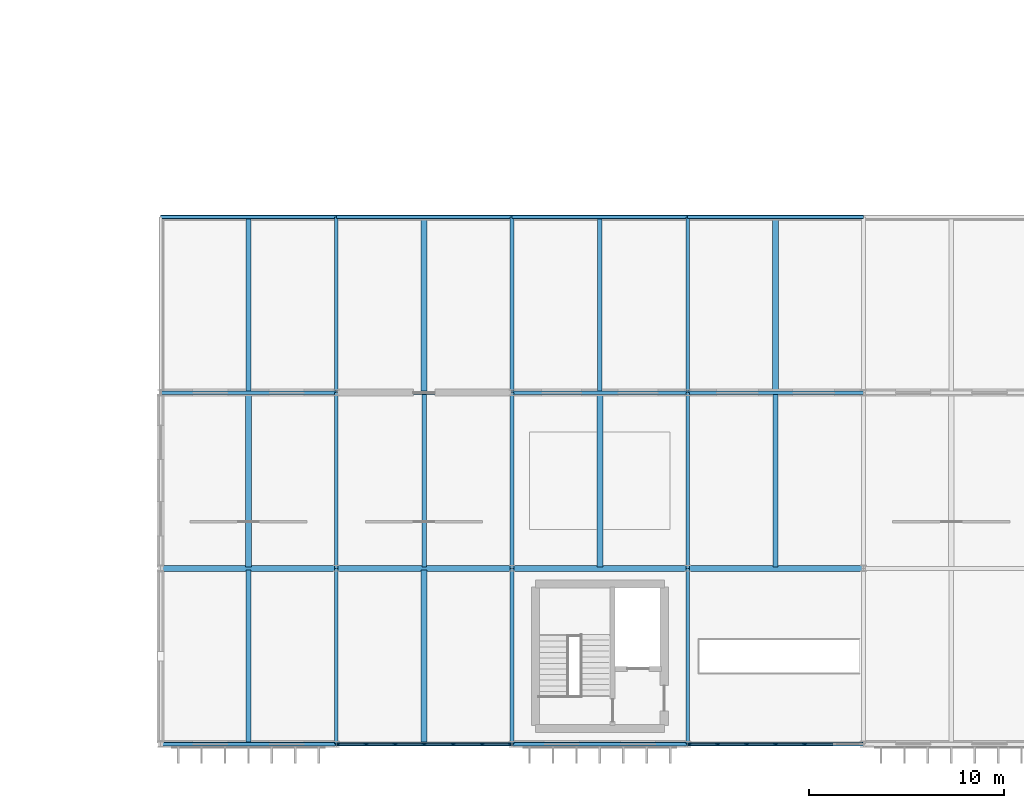
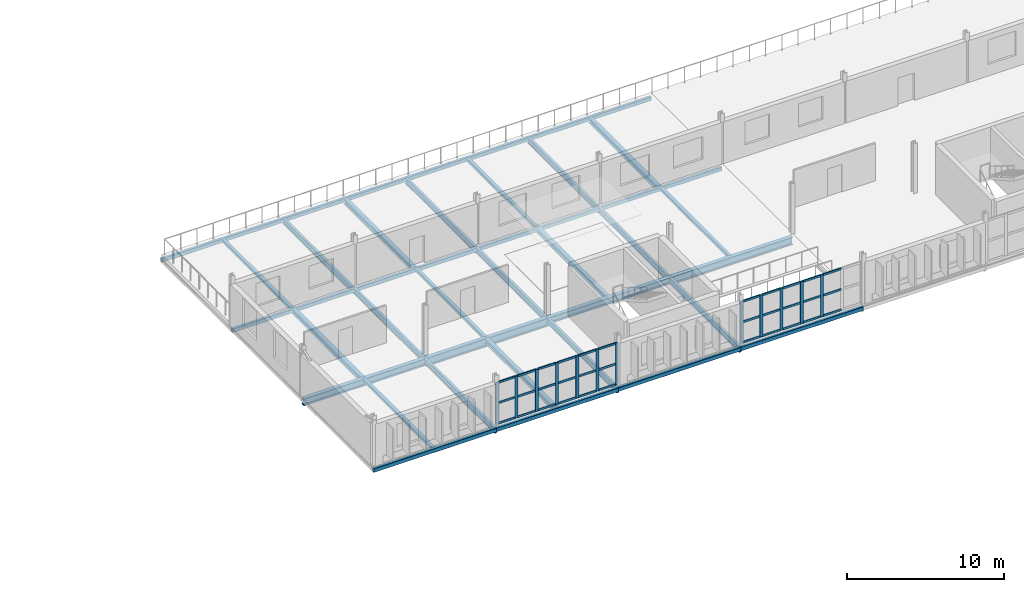
# One storey, part 56 of 123: 45 members, 35 beams, 2 elements without a shape of their own.
"""IFC4 building model written with IfcOpenShell, lengths in metres."""

from ifc_helpers import new_model, si_unit, direction, frame, origin, origin_2d, place, context, subcontext, project, spatial, rectangle, hollow_rectangle, i_section, extrude, material, material_profile, profile_set, type_object, element, aggregate, save


model = new_model("IFC4")

# Units and contexts
model_context = context("Model", 3, precision=1e-05, world=origin(), true_north=direction((0.0, 1.0)))
body_context = subcontext(model_context, "Body", "Model", "MODEL_VIEW")
ifc_project = project(units=[si_unit("LENGTHUNIT", "METRE"), si_unit("AREAUNIT", "SQUARE_METRE"), si_unit("VOLUMEUNIT", "CUBIC_METRE"), si_unit("PLANEANGLEUNIT", "RADIAN"), si_unit("MASSUNIT", "GRAM", prefix="KILO")], contexts=[model_context])

# Site, building, storey
site_placement = place(None, origin())
site = spatial("IfcSite", under=ifc_project, at=site_placement, CompositionType="ELEMENT")
building_placement = place(site_placement, origin())
building = spatial("IfcBuilding", under=site, at=building_placement, Name="Kildeholm Park Wholesale Market", CompositionType="ELEMENT")
storey_placement = place(building_placement, frame((0.0, 0.0, 9.60009765625)))
storey = spatial("IfcBuildingStorey", under=building, at=storey_placement, Name="L02", CompositionType="ELEMENT", Elevation=9.60009765625)

# Beams
ifc_material_1 = material(Name="Steel S355", Category="steel")
ifc_material_profile_1 = material_profile(ifc_material_1, i_section(OverallWidth=0.18994140625, OverallDepth=0.449951171875, WebThickness=0.009521484375, FlangeThickness=0.0146484375, FilletRadius=0.02099609375, at=origin_2d()), Name="IPE 450")
ifc_profile_set_1 = profile_set([ifc_material_profile_1], Name="Steel S355")
beam_type_1 = type_object("IfcBeamType", Name="Beam B-P02 IPE 450", PredefinedType="BEAM", material=ifc_profile_set_1)
for number, where, z_axis, x_axis, name in (
    (1, (135.0, 18.0, -0.51513671875), (0.0, 1.0, 0.0), (-1.0, 0.0, 0.0), "Beam BM-V5E-L02-Y-135-018 BM-1606"),
    (2, (144.0, 18.0, -0.51513671875), (0.0, 1.0, 0.0), (-1.0, 0.0, 0.0), "Beam BM-V5E-L02-Y-144-018 BM-1610"),
    (3, (153.0, 18.0, -0.51513671875), (0.0, 1.0, 0.0), (-1.0, 0.0, 0.0), "Beam BM-V5E-L02-Y-153-018 BM-1614"),
    (4, (135.0, 0.0, -0.465087890625), (0.0, 1.0, 0.0), (-1.0, 0.0, 0.0), "Beam BM-V5E-L02-Y-135-000 BM-1641"),
    (5, (135.0, 9.0, -0.465087890625), (0.0, 1.0, 0.0), (-1.0, 0.0, 0.0), "Beam BM-V5E-L02-Y-135-009 BM-1644"),
    (6, (144.0, 0.0, -0.465087890625), (0.0, 1.0, 0.0), (-1.0, 0.0, 0.0), "Beam BM-V5E-L02-Y-144-000 BM-1647"),
    (7, (144.0, 9.0, -0.465087890625), (0.0, 1.0, 0.0), (-1.0, 0.0, 0.0), "Beam BM-V5E-L02-Y-144-009 BM-1649"),
    (8, (153.0, 0.0, -0.465087890625), (0.0, 1.0, 0.0), (-1.0, 0.0, 0.0), "Beam BM-V5E-L02-Y-153-000 BM-1652"),
    (9, (153.0, 9.0, -0.465087890625), (0.0, 1.0, 0.0), (-1.0, 0.0, 0.0), "Beam BM-V5E-L02-Y-153-009 BM-1654"),
):
    element("IfcBeam", number, at=place(storey_placement, frame(where, z_axis=z_axis, x_axis=x_axis)), inside=storey, type_object=beam_type_1, Name=name, PredefinedType="BEAM", context=body_context, shape_type="SweptSolid", body=[
        extrude(i_section(OverallWidth=0.18994140625, OverallDepth=0.449951171875, WebThickness=0.009521484375, FlangeThickness=0.0146484375, FilletRadius=0.02099609375, at=origin_2d()), origin(), (0.0, 0.0, 1.0), 9.0),
    ])
ifc_material_profile_2 = material_profile(ifc_material_1, i_section(OverallWidth=0.300048828125, OverallDepth=0.550048828125, WebThickness=0.014892578125, FlangeThickness=0.029052734375, FilletRadius=0.027099609375, at=origin_2d()), Name="HEB 550")
ifc_profile_set_2 = profile_set([ifc_material_profile_2], Name="Steel S355")
beam_type_2 = type_object("IfcBeamType", Name="Beam B-X03 HEB 550", PredefinedType="BEAM", material=ifc_profile_set_2)
beam_1_placement = place(storey_placement, frame((126.0, 9.0, -0.51904296875), z_axis=(1.0, 0.0, 0.0), x_axis=(0.0, 1.0, 0.0)))
element("IfcBeam", 10, at=beam_1_placement, inside=storey, type_object=beam_type_2, Name="Beam BM-V5E-L02-X-126-009 BM-1637", PredefinedType="BEAM", context=body_context, shape_type="SweptSolid", body=[
    extrude(i_section(OverallWidth=0.300048828125, OverallDepth=0.550048828125, WebThickness=0.014892578125, FlangeThickness=0.029052734375, FilletRadius=0.027099609375, at=origin_2d()), origin(), (0.0, 0.0, 1.0), 9.0),
])
ifc_material_profile_3 = material_profile(ifc_material_1, i_section(OverallWidth=0.300048828125, OverallDepth=0.64990234375, WebThickness=0.01611328125, FlangeThickness=0.031005859375, FilletRadius=0.027099609375, at=origin_2d()), Name="HEB 650")
ifc_profile_set_3 = profile_set([ifc_material_profile_3], Name="Steel S355")
beam_type_3 = type_object("IfcBeamType", Name="Beam B-X04 HEB 650", PredefinedType="BEAM", material=ifc_profile_set_3)
beam_2_placement = place(storey_placement, frame((135.0, 9.0, -0.565185546875), z_axis=(1.0, 0.0, 0.0), x_axis=(0.0, 1.0, 0.0)))
element("IfcBeam", 11, at=beam_2_placement, inside=storey, type_object=beam_type_3, Name="Beam BM-V5E-L02-X-135-009 BM-1643", PredefinedType="BEAM", context=body_context, shape_type="SweptSolid", body=[
    extrude(i_section(OverallWidth=0.300048828125, OverallDepth=0.64990234375, WebThickness=0.01611328125, FlangeThickness=0.031005859375, FilletRadius=0.027099609375, at=origin_2d()), origin(), (0.0, 0.0, 1.0), 9.0),
])
ifc_material_profile_4 = material_profile(ifc_material_1, i_section(OverallWidth=0.300048828125, OverallDepth=0.5, WebThickness=0.014404296875, FlangeThickness=0.028076171875, FilletRadius=0.027099609375, at=origin_2d()), Name="HEB 500")
ifc_profile_set_4 = profile_set([ifc_material_profile_4], Name="Steel S355")
beam_type_4 = type_object("IfcBeamType", Name="Beam B-X05 HEB 500", PredefinedType="BEAM", material=ifc_profile_set_4)
beam_3_placement = place(storey_placement, frame((144.0, 9.0, -0.489990234375), z_axis=(1.0, 0.0, 0.0), x_axis=(0.0, 1.0, 0.0)))
element("IfcBeam", 12, at=beam_3_placement, inside=storey, type_object=beam_type_4, Name="Beam BM-V5E-L02-X-144-009 BM-1648", PredefinedType="BEAM", context=body_context, shape_type="SweptSolid", body=[
    extrude(i_section(OverallWidth=0.300048828125, OverallDepth=0.5, WebThickness=0.014404296875, FlangeThickness=0.028076171875, FilletRadius=0.027099609375, at=origin_2d()), origin(), (0.0, 0.0, 1.0), 9.0),
])
ifc_material_profile_5 = material_profile(ifc_material_1, i_section(OverallWidth=0.300048828125, OverallDepth=0.60009765625, WebThickness=0.015380859375, FlangeThickness=0.030029296875, FilletRadius=0.027099609375, at=origin_2d()), Name="HEB 600")
ifc_profile_set_5 = profile_set([ifc_material_profile_5], Name="Steel S355")
beam_type_5 = type_object("IfcBeamType", Name="Beam B-X06 HEB 600", PredefinedType="BEAM", material=ifc_profile_set_5)
beam_4_placement = place(storey_placement, frame((153.0, 9.0, -0.544189453125), z_axis=(1.0, 0.0, 0.0), x_axis=(0.0, 1.0, 0.0)))
element("IfcBeam", 13, at=beam_4_placement, inside=storey, type_object=beam_type_5, Name="Beam BM-V5E-L02-X-153-009 BM-1653", PredefinedType="BEAM", context=body_context, shape_type="SweptSolid", body=[
    extrude(i_section(OverallWidth=0.300048828125, OverallDepth=0.60009765625, WebThickness=0.015380859375, FlangeThickness=0.030029296875, FilletRadius=0.027099609375, at=origin_2d()), origin(), (0.0, 0.0, 1.0), 9.0),
])
ifc_material_profile_6 = material_profile(ifc_material_1, i_section(OverallWidth=0.239990234375, OverallDepth=0.22998046875, WebThickness=0.007568359375, FlangeThickness=0.011962890625, FilletRadius=0.02099609375, at=origin_2d()), Name="HEA 240")
ifc_profile_set_6 = profile_set([ifc_material_profile_6], Name="Steel S355")
beam_type_6 = type_object("IfcBeamType", Name="Beam J-05 HEA 240", PredefinedType="JOIST", material=ifc_profile_set_6)
for number, where, z_axis, x_axis, name in (
    (14, (130.5, 18.0849609375, -0.405029296875), (0.0, 1.0, 0.0), (-1.0, 0.0, 0.0), "Beam JT-V5E-L02-126-018 BM-1603"),
    (15, (148.5, 18.0849609375, -0.405029296875), (0.0, 1.0, 0.0), (-1.0, 0.0, 0.0), "Beam JT-V5E-L02-144-018 BM-1611"),
    (16, (130.5, 0.0849609375, -0.35498046875), (0.0, 1.0, 0.0), (-1.0, 0.0, 0.0), "Beam JT-V5E-L02-126-000 BM-1636"),
    (17, (139.5, 9.0849609375, -0.35498046875), (0.0, 1.0, 0.0), (-1.0, 0.0, 0.0), "Beam JT-V5E-L02-135-009 BM-1645"),
    (18, (157.5, 9.0849609375, -0.35498046875), (0.0, 1.0, 0.0), (-1.0, 0.0, 0.0), "Beam JT-V5E-L02-153-009 BM-1655"),
):
    element("IfcBeam", number, at=place(storey_placement, frame(where, z_axis=z_axis, x_axis=x_axis)), inside=storey, type_object=beam_type_6, Name=name, PredefinedType="JOIST", context=body_context, shape_type="SweptSolid", body=[
        extrude(i_section(OverallWidth=0.239990234375, OverallDepth=0.22998046875, WebThickness=0.007568359375, FlangeThickness=0.011962890625, FilletRadius=0.02099609375, at=origin_2d()), origin(), (0.0, 0.0, 1.0), 8.830078125),
    ])
ifc_material_profile_7 = material_profile(ifc_material_1, i_section(OverallWidth=0.300048828125, OverallDepth=0.389892578125, WebThickness=0.010986328125, FlangeThickness=0.01904296875, FilletRadius=0.027099609375, at=origin_2d()), Name="HEA 400")
ifc_profile_set_7 = profile_set([ifc_material_profile_7], Name="Steel S355")
beam_type_7 = type_object("IfcBeamType", Name="Beam J-06 HEA 400", PredefinedType="JOIST", material=ifc_profile_set_7)
for number, where, z_axis, x_axis, name in (
    (19, (139.5, 18.0849609375, -0.485107421875), (0.0, 1.0, 0.0), (-1.0, 0.0, 0.0), "Beam JT-V5E-L02-135-018 BM-1607"),
    (20, (157.5, 18.0849609375, -0.485107421875), (0.0, 1.0, 0.0), (-1.0, 0.0, 0.0), "Beam JT-V5E-L02-153-018 BM-1615"),
    (21, (130.5, 9.0849609375, -0.43505859375), (0.0, 1.0, 0.0), (-1.0, 0.0, 0.0), "Beam JT-V5E-L02-126-009 BM-1639"),
    (22, (139.5, 0.0849609375, -0.43505859375), (0.0, 1.0, 0.0), (-1.0, 0.0, 0.0), "Beam JT-V5E-L02-135-000 BM-1642"),
    (23, (148.5, 9.0849609375, -0.43505859375), (0.0, 1.0, 0.0), (-1.0, 0.0, 0.0), "Beam JT-V5E-L02-144-009 BM-1650"),
):
    element("IfcBeam", number, at=place(storey_placement, frame(where, z_axis=z_axis, x_axis=x_axis)), inside=storey, type_object=beam_type_7, Name=name, PredefinedType="JOIST", context=body_context, shape_type="SweptSolid", body=[
        extrude(i_section(OverallWidth=0.300048828125, OverallDepth=0.389892578125, WebThickness=0.010986328125, FlangeThickness=0.01904296875, FilletRadius=0.027099609375, at=origin_2d()), origin(), (0.0, 0.0, 1.0), 8.830078125),
    ])
ifc_material_profile_8 = material_profile(ifc_material_1, hollow_rectangle(XDim=0.199951171875, YDim=0.300048828125, WallThickness=0.012451171875, InnerFilletRadius=0.012451171875, OuterFilletRadius=0.02490234375, at=origin_2d()), Name="RHS 300x200x12.5")
ifc_profile_set_8 = profile_set([ifc_material_profile_8], Name="Steel S355")
beam_type_8 = type_object("IfcBeamType", Name="Beam SP-01 RHS 300x200x12.5", PredefinedType="SPANDREL", material=ifc_profile_set_8)
for number, where, z_axis, x_axis, name in (
    (24, (126.0, 18.0, -0.440185546875), (1.0, 0.0, 0.0), (0.0, 1.0, 0.0), "Beam BM-V5E-L02-X-126-018 BM-1601"),
    (25, (126.0, 27.0, -0.440185546875), (1.0, 0.0, 0.0), (0.0, 1.0, 0.0), "Beam BM-V5E-L02-X-126-027 BM-1604"),
    (26, (135.0, 18.0, -0.440185546875), (1.0, 0.0, 0.0), (0.0, 1.0, 0.0), "Beam BM-V5E-L02-X-135-018 BM-1605"),
    (27, (135.0, 27.0, -0.440185546875), (1.0, 0.0, 0.0), (0.0, 1.0, 0.0), "Beam BM-V5E-L02-X-135-027 BM-1608"),
    (28, (144.0, 18.0, -0.440185546875), (1.0, 0.0, 0.0), (0.0, 1.0, 0.0), "Beam BM-V5E-L02-X-144-018 BM-1609"),
    (29, (144.0, 27.0, -0.440185546875), (1.0, 0.0, 0.0), (0.0, 1.0, 0.0), "Beam BM-V5E-L02-X-144-027 BM-1612"),
    (30, (153.0, 18.0, -0.440185546875), (1.0, 0.0, 0.0), (0.0, 1.0, 0.0), "Beam BM-V5E-L02-X-153-018 BM-1613"),
    (31, (153.0, 27.0, -0.440185546875), (1.0, 0.0, 0.0), (0.0, 1.0, 0.0), "Beam BM-V5E-L02-X-153-027 BM-1616"),
    (32, (126.0, 0.0, -0.39404296875), (1.0, 0.0, 0.0), (0.0, 1.0, 0.0), "Beam BM-V5E-L02-X-126-000 BM-1634"),
    (33, (135.0, 0.0, -0.39404296875), (1.0, 0.0, 0.0), (0.0, 1.0, 0.0), "Beam BM-V5E-L02-X-135-000 BM-1640"),
    (34, (144.0, 0.0, -0.39404296875), (1.0, 0.0, 0.0), (0.0, 1.0, 0.0), "Beam BM-V5E-L02-X-144-000 BM-1646"),
    (35, (153.0, 0.0, -0.39404296875), (1.0, 0.0, 0.0), (0.0, 1.0, 0.0), "Beam BM-V5E-L02-X-153-000 BM-1651"),
):
    element("IfcBeam", number, at=place(storey_placement, frame(where, z_axis=z_axis, x_axis=x_axis)), inside=storey, type_object=beam_type_8, Name=name, PredefinedType="SPANDREL", context=body_context, shape_type="SweptSolid", body=[
        extrude(hollow_rectangle(XDim=0.199951171875, YDim=0.300048828125, WallThickness=0.012451171875, InnerFilletRadius=0.012451171875, OuterFilletRadius=0.02490234375, at=origin_2d()), origin(), (0.0, 0.0, 1.0), 9.0),
    ])

# Curtain wall, members
ifc_material_2 = material(Name="Anodised aluminium and low-E double-glazed glass", Category="aluminium")
curtain_wall_type = type_object("IfcCurtainWallType", Name="Park wing thermally broken curtain wall CW-03", PredefinedType="NOTDEFINED", material=ifc_material_2)
curtain_wall_1_placement = place(storey_placement, origin())
curtain_wall_1 = element("IfcCurtainWall", 36, at=curtain_wall_1_placement, inside=storey, type_object=curtain_wall_type, Name="Curtain wall CW-V5E-L02-S-02 CW-0155", PredefinedType="NOTDEFINED")
ifc_material_3 = material(Name="Anodised aluminium", Category="aluminium")
ifc_material_profile_9 = material_profile(ifc_material_3, rectangle(XDim=0.074951171875, YDim=0.219970703125, at=origin_2d()), Name="CWM 75x220")
ifc_profile_set_9 = profile_set([ifc_material_profile_9], Name="Anodised aluminium")
member_type_1 = type_object("IfcMemberType", Name="Curtain-wall mullion CWM-2 CWM 75x220", PredefinedType="MULLION", material=ifc_profile_set_9)
member_1_placement = place(storey_placement, frame((135.077392578125, 0.0, 0.0), z_axis=(0.0, 0.0, 1.0), x_axis=(0.0, 1.0, 0.0)))
member_1 = element("IfcMember", 37, at=member_1_placement, type_object=member_type_1, Name="CW-03 mullion 1 MEM-4740", PredefinedType="MULLION", context=body_context, shape_type="SweptSolid", body=[
    extrude(rectangle(XDim=0.074951171875, YDim=0.219970703125, at=origin_2d()), origin(), (0.0, 0.0, 1.0), 3.25),
])
member_2_placement = place(storey_placement, frame((136.526611328125, 0.0, 0.0), z_axis=(0.0, 0.0, 1.0), x_axis=(0.0, 1.0, 0.0)))
member_2 = element("IfcMember", 38, at=member_2_placement, type_object=member_type_1, Name="CW-03 mullion 2 MEM-4741", PredefinedType="MULLION", context=body_context, shape_type="SweptSolid", body=[
    extrude(rectangle(XDim=0.074951171875, YDim=0.219970703125, at=origin_2d()), origin(), (0.0, 0.0, 1.0), 3.25),
])
member_3_placement = place(storey_placement, frame((138.013427734375, 0.0, 0.0), z_axis=(0.0, 0.0, 1.0), x_axis=(0.0, 1.0, 0.0)))
member_3 = element("IfcMember", 39, at=member_3_placement, type_object=member_type_1, Name="CW-03 mullion 3 MEM-4742", PredefinedType="MULLION", context=body_context, shape_type="SweptSolid", body=[
    extrude(rectangle(XDim=0.074951171875, YDim=0.219970703125, at=origin_2d()), origin(), (0.0, 0.0, 1.0), 3.25),
])
member_4_placement = place(storey_placement, frame((139.5, 0.0, 0.0), z_axis=(0.0, 0.0, 1.0), x_axis=(0.0, 1.0, 0.0)))
member_4 = element("IfcMember", 40, at=member_4_placement, type_object=member_type_1, Name="CW-03 mullion 4 MEM-4743", PredefinedType="MULLION", context=body_context, shape_type="SweptSolid", body=[
    extrude(rectangle(XDim=0.074951171875, YDim=0.219970703125, at=origin_2d()), origin(), (0.0, 0.0, 1.0), 3.25),
])
member_5_placement = place(storey_placement, frame((140.986572265625, 0.0, 0.0), z_axis=(0.0, 0.0, 1.0), x_axis=(0.0, 1.0, 0.0)))
member_5 = element("IfcMember", 41, at=member_5_placement, type_object=member_type_1, Name="CW-03 mullion 5 MEM-4744", PredefinedType="MULLION", context=body_context, shape_type="SweptSolid", body=[
    extrude(rectangle(XDim=0.074951171875, YDim=0.219970703125, at=origin_2d()), origin(), (0.0, 0.0, 1.0), 3.25),
])
member_6_placement = place(storey_placement, frame((142.473388671875, 0.0, 0.0), z_axis=(0.0, 0.0, 1.0), x_axis=(0.0, 1.0, 0.0)))
member_6 = element("IfcMember", 42, at=member_6_placement, type_object=member_type_1, Name="CW-03 mullion 6 MEM-4745", PredefinedType="MULLION", context=body_context, shape_type="SweptSolid", body=[
    extrude(rectangle(XDim=0.074951171875, YDim=0.219970703125, at=origin_2d()), origin(), (0.0, 0.0, 1.0), 3.25),
])
member_7_placement = place(storey_placement, frame((143.922607421875, 0.0, 0.0), z_axis=(0.0, 0.0, 1.0), x_axis=(0.0, 1.0, 0.0)))
member_7 = element("IfcMember", 43, at=member_7_placement, type_object=member_type_1, Name="CW-03 mullion 7 MEM-4746", PredefinedType="MULLION", context=body_context, shape_type="SweptSolid", body=[
    extrude(rectangle(XDim=0.074951171875, YDim=0.219970703125, at=origin_2d()), origin(), (0.0, 0.0, 1.0), 3.25),
])

curtain_wall_2_placement = place(storey_placement, origin())
curtain_wall_2 = element("IfcCurtainWall", 44, at=curtain_wall_2_placement, inside=storey, type_object=curtain_wall_type, Name="Curtain wall CW-V5E-L02-S-04 CW-0156", PredefinedType="NOTDEFINED")
member_8_placement = place(storey_placement, frame((153.077392578125, 0.0, 0.0), z_axis=(0.0, 0.0, 1.0), x_axis=(0.0, 1.0, 0.0)))
member_8 = element("IfcMember", 45, at=member_8_placement, type_object=member_type_1, Name="CW-03 mullion 1 MEM-4765", PredefinedType="MULLION", context=body_context, shape_type="SweptSolid", body=[
    extrude(rectangle(XDim=0.074951171875, YDim=0.219970703125, at=origin_2d()), origin(), (0.0, 0.0, 1.0), 3.25),
])
member_9_placement = place(storey_placement, frame((154.526611328125, 0.0, 0.0), z_axis=(0.0, 0.0, 1.0), x_axis=(0.0, 1.0, 0.0)))
member_9 = element("IfcMember", 46, at=member_9_placement, type_object=member_type_1, Name="CW-03 mullion 2 MEM-4766", PredefinedType="MULLION", context=body_context, shape_type="SweptSolid", body=[
    extrude(rectangle(XDim=0.074951171875, YDim=0.219970703125, at=origin_2d()), origin(), (0.0, 0.0, 1.0), 3.25),
])
member_10_placement = place(storey_placement, frame((156.013427734375, 0.0, 0.0), z_axis=(0.0, 0.0, 1.0), x_axis=(0.0, 1.0, 0.0)))
member_10 = element("IfcMember", 47, at=member_10_placement, type_object=member_type_1, Name="CW-03 mullion 3 MEM-4767", PredefinedType="MULLION", context=body_context, shape_type="SweptSolid", body=[
    extrude(rectangle(XDim=0.074951171875, YDim=0.219970703125, at=origin_2d()), origin(), (0.0, 0.0, 1.0), 3.25),
])
member_11_placement = place(storey_placement, frame((157.5, 0.0, 0.0), z_axis=(0.0, 0.0, 1.0), x_axis=(0.0, 1.0, 0.0)))
member_11 = element("IfcMember", 48, at=member_11_placement, type_object=member_type_1, Name="CW-03 mullion 4 MEM-4768", PredefinedType="MULLION", context=body_context, shape_type="SweptSolid", body=[
    extrude(rectangle(XDim=0.074951171875, YDim=0.219970703125, at=origin_2d()), origin(), (0.0, 0.0, 1.0), 3.25),
])
member_12_placement = place(storey_placement, frame((158.986572265625, 0.0, 0.0), z_axis=(0.0, 0.0, 1.0), x_axis=(0.0, 1.0, 0.0)))
member_12 = element("IfcMember", 49, at=member_12_placement, type_object=member_type_1, Name="CW-03 mullion 5 MEM-4769", PredefinedType="MULLION", context=body_context, shape_type="SweptSolid", body=[
    extrude(rectangle(XDim=0.074951171875, YDim=0.219970703125, at=origin_2d()), origin(), (0.0, 0.0, 1.0), 3.25),
])

# Member
ifc_material_profile_10 = material_profile(ifc_material_3, rectangle(XDim=0.074951171875, YDim=0.159912109375, at=origin_2d()), Name="CWT 75x160")
ifc_profile_set_10 = profile_set([ifc_material_profile_10], Name="Anodised aluminium")
member_type_2 = type_object("IfcMemberType", Name="Curtain-wall transom CWT-2 CWT 75x160", PredefinedType="USERDEFINED", material=ifc_profile_set_10)
member_13_placement = place(storey_placement, frame((135.114990234375, 0.0, 0.037353515625), z_axis=(1.0, 0.0, 0.0), x_axis=(0.0, 1.0, 0.0)))
member_13 = element("IfcMember", 50, at=member_13_placement, type_object=member_type_2, Name="CW-03 transom 1.1 MEM-4747", ObjectType="TRANSOM", PredefinedType="USERDEFINED", context=body_context, shape_type="SweptSolid", body=[
    extrude(rectangle(XDim=0.074951171875, YDim=0.159912109375, at=origin_2d()), origin(), (0.0, 0.0, 1.0), 1.374267578125),
])

member_14_placement = place(storey_placement, frame((135.114990234375, 0.0, 1.625), z_axis=(1.0, 0.0, 0.0), x_axis=(0.0, 1.0, 0.0)))
member_14 = element("IfcMember", 51, at=member_14_placement, type_object=member_type_2, Name="CW-03 transom 1.2 MEM-4748", ObjectType="TRANSOM", PredefinedType="USERDEFINED", context=body_context, shape_type="SweptSolid", body=[
    extrude(rectangle(XDim=0.074951171875, YDim=0.159912109375, at=origin_2d()), origin(), (0.0, 0.0, 1.0), 1.374267578125),
])

member_15_placement = place(storey_placement, frame((135.114990234375, 0.0, 3.21240234375), z_axis=(1.0, 0.0, 0.0), x_axis=(0.0, 1.0, 0.0)))
member_15 = element("IfcMember", 52, at=member_15_placement, type_object=member_type_2, Name="CW-03 transom 1.3 MEM-4749", ObjectType="TRANSOM", PredefinedType="USERDEFINED", context=body_context, shape_type="SweptSolid", body=[
    extrude(rectangle(XDim=0.074951171875, YDim=0.159912109375, at=origin_2d()), origin(), (0.0, 0.0, 1.0), 1.374267578125),
])

member_16_placement = place(storey_placement, frame((136.564208984375, 0.0, 0.037353515625), z_axis=(1.0, 0.0, 0.0), x_axis=(0.0, 1.0, 0.0)))
member_16 = element("IfcMember", 53, at=member_16_placement, type_object=member_type_2, Name="CW-03 transom 2.1 MEM-4750", ObjectType="TRANSOM", PredefinedType="USERDEFINED", context=body_context, shape_type="SweptSolid", body=[
    extrude(rectangle(XDim=0.074951171875, YDim=0.159912109375, at=origin_2d()), origin(), (0.0, 0.0, 1.0), 1.41162109375),
])

member_17_placement = place(storey_placement, frame((136.564208984375, 0.0, 1.625), z_axis=(1.0, 0.0, 0.0), x_axis=(0.0, 1.0, 0.0)))
member_17 = element("IfcMember", 54, at=member_17_placement, type_object=member_type_2, Name="CW-03 transom 2.2 MEM-4751", ObjectType="TRANSOM", PredefinedType="USERDEFINED", context=body_context, shape_type="SweptSolid", body=[
    extrude(rectangle(XDim=0.074951171875, YDim=0.159912109375, at=origin_2d()), origin(), (0.0, 0.0, 1.0), 1.41162109375),
])

member_18_placement = place(storey_placement, frame((136.564208984375, 0.0, 3.21240234375), z_axis=(1.0, 0.0, 0.0), x_axis=(0.0, 1.0, 0.0)))
member_18 = element("IfcMember", 55, at=member_18_placement, type_object=member_type_2, Name="CW-03 transom 2.3 MEM-4752", ObjectType="TRANSOM", PredefinedType="USERDEFINED", context=body_context, shape_type="SweptSolid", body=[
    extrude(rectangle(XDim=0.074951171875, YDim=0.159912109375, at=origin_2d()), origin(), (0.0, 0.0, 1.0), 1.41162109375),
])

member_19_placement = place(storey_placement, frame((138.05078125, 0.0, 0.037353515625), z_axis=(1.0, 0.0, 0.0), x_axis=(0.0, 1.0, 0.0)))
member_19 = element("IfcMember", 56, at=member_19_placement, type_object=member_type_2, Name="CW-03 transom 3.1 MEM-4753", ObjectType="TRANSOM", PredefinedType="USERDEFINED", context=body_context, shape_type="SweptSolid", body=[
    extrude(rectangle(XDim=0.074951171875, YDim=0.159912109375, at=origin_2d()), origin(), (0.0, 0.0, 1.0), 1.41162109375),
])

member_20_placement = place(storey_placement, frame((138.05078125, 0.0, 1.625), z_axis=(1.0, 0.0, 0.0), x_axis=(0.0, 1.0, 0.0)))
member_20 = element("IfcMember", 57, at=member_20_placement, type_object=member_type_2, Name="CW-03 transom 3.2 MEM-4754", ObjectType="TRANSOM", PredefinedType="USERDEFINED", context=body_context, shape_type="SweptSolid", body=[
    extrude(rectangle(XDim=0.074951171875, YDim=0.159912109375, at=origin_2d()), origin(), (0.0, 0.0, 1.0), 1.41162109375),
])

member_21_placement = place(storey_placement, frame((138.05078125, 0.0, 3.21240234375), z_axis=(1.0, 0.0, 0.0), x_axis=(0.0, 1.0, 0.0)))
member_21 = element("IfcMember", 58, at=member_21_placement, type_object=member_type_2, Name="CW-03 transom 3.3 MEM-4755", ObjectType="TRANSOM", PredefinedType="USERDEFINED", context=body_context, shape_type="SweptSolid", body=[
    extrude(rectangle(XDim=0.074951171875, YDim=0.159912109375, at=origin_2d()), origin(), (0.0, 0.0, 1.0), 1.41162109375),
])

member_22_placement = place(storey_placement, frame((139.53759765625, 0.0, 0.037353515625), z_axis=(1.0, 0.0, 0.0), x_axis=(0.0, 1.0, 0.0)))
member_22 = element("IfcMember", 59, at=member_22_placement, type_object=member_type_2, Name="CW-03 transom 4.1 MEM-4756", ObjectType="TRANSOM", PredefinedType="USERDEFINED", context=body_context, shape_type="SweptSolid", body=[
    extrude(rectangle(XDim=0.074951171875, YDim=0.159912109375, at=origin_2d()), origin(), (0.0, 0.0, 1.0), 1.41162109375),
])

member_23_placement = place(storey_placement, frame((139.53759765625, 0.0, 1.625), z_axis=(1.0, 0.0, 0.0), x_axis=(0.0, 1.0, 0.0)))
member_23 = element("IfcMember", 60, at=member_23_placement, type_object=member_type_2, Name="CW-03 transom 4.2 MEM-4757", ObjectType="TRANSOM", PredefinedType="USERDEFINED", context=body_context, shape_type="SweptSolid", body=[
    extrude(rectangle(XDim=0.074951171875, YDim=0.159912109375, at=origin_2d()), origin(), (0.0, 0.0, 1.0), 1.41162109375),
])

member_24_placement = place(storey_placement, frame((139.53759765625, 0.0, 3.21240234375), z_axis=(1.0, 0.0, 0.0), x_axis=(0.0, 1.0, 0.0)))
member_24 = element("IfcMember", 61, at=member_24_placement, type_object=member_type_2, Name="CW-03 transom 4.3 MEM-4758", ObjectType="TRANSOM", PredefinedType="USERDEFINED", context=body_context, shape_type="SweptSolid", body=[
    extrude(rectangle(XDim=0.074951171875, YDim=0.159912109375, at=origin_2d()), origin(), (0.0, 0.0, 1.0), 1.41162109375),
])

member_25_placement = place(storey_placement, frame((141.024169921875, 0.0, 0.037353515625), z_axis=(1.0, 0.0, 0.0), x_axis=(0.0, 1.0, 0.0)))
member_25 = element("IfcMember", 62, at=member_25_placement, type_object=member_type_2, Name="CW-03 transom 5.1 MEM-4759", ObjectType="TRANSOM", PredefinedType="USERDEFINED", context=body_context, shape_type="SweptSolid", body=[
    extrude(rectangle(XDim=0.074951171875, YDim=0.159912109375, at=origin_2d()), origin(), (0.0, 0.0, 1.0), 1.41162109375),
])

member_26_placement = place(storey_placement, frame((141.024169921875, 0.0, 1.625), z_axis=(1.0, 0.0, 0.0), x_axis=(0.0, 1.0, 0.0)))
member_26 = element("IfcMember", 63, at=member_26_placement, type_object=member_type_2, Name="CW-03 transom 5.2 MEM-4760", ObjectType="TRANSOM", PredefinedType="USERDEFINED", context=body_context, shape_type="SweptSolid", body=[
    extrude(rectangle(XDim=0.074951171875, YDim=0.159912109375, at=origin_2d()), origin(), (0.0, 0.0, 1.0), 1.41162109375),
])

member_27_placement = place(storey_placement, frame((141.024169921875, 0.0, 3.21240234375), z_axis=(1.0, 0.0, 0.0), x_axis=(0.0, 1.0, 0.0)))
member_27 = element("IfcMember", 64, at=member_27_placement, type_object=member_type_2, Name="CW-03 transom 5.3 MEM-4761", ObjectType="TRANSOM", PredefinedType="USERDEFINED", context=body_context, shape_type="SweptSolid", body=[
    extrude(rectangle(XDim=0.074951171875, YDim=0.159912109375, at=origin_2d()), origin(), (0.0, 0.0, 1.0), 1.41162109375),
])

member_28_placement = place(storey_placement, frame((142.5107421875, 0.0, 0.037353515625), z_axis=(1.0, 0.0, 0.0), x_axis=(0.0, 1.0, 0.0)))
member_28 = element("IfcMember", 65, at=member_28_placement, type_object=member_type_2, Name="CW-03 transom 6.1 MEM-4762", ObjectType="TRANSOM", PredefinedType="USERDEFINED", context=body_context, shape_type="SweptSolid", body=[
    extrude(rectangle(XDim=0.074951171875, YDim=0.159912109375, at=origin_2d()), origin(), (0.0, 0.0, 1.0), 1.374267578125),
])

member_29_placement = place(storey_placement, frame((142.5107421875, 0.0, 1.625), z_axis=(1.0, 0.0, 0.0), x_axis=(0.0, 1.0, 0.0)))
member_29 = element("IfcMember", 66, at=member_29_placement, type_object=member_type_2, Name="CW-03 transom 6.2 MEM-4763", ObjectType="TRANSOM", PredefinedType="USERDEFINED", context=body_context, shape_type="SweptSolid", body=[
    extrude(rectangle(XDim=0.074951171875, YDim=0.159912109375, at=origin_2d()), origin(), (0.0, 0.0, 1.0), 1.374267578125),
])

member_30_placement = place(storey_placement, frame((142.5107421875, 0.0, 3.21240234375), z_axis=(1.0, 0.0, 0.0), x_axis=(0.0, 1.0, 0.0)))
member_30 = element("IfcMember", 67, at=member_30_placement, type_object=member_type_2, Name="CW-03 transom 6.3 MEM-4764", ObjectType="TRANSOM", PredefinedType="USERDEFINED", context=body_context, shape_type="SweptSolid", body=[
    extrude(rectangle(XDim=0.074951171875, YDim=0.159912109375, at=origin_2d()), origin(), (0.0, 0.0, 1.0), 1.374267578125),
])

aggregate(curtain_wall_1, [member_1, member_2, member_3, member_4, member_5, member_6, member_7, member_13, member_14, member_15, member_16, member_17, member_18, member_19, member_20, member_21, member_22, member_23, member_24, member_25, member_26, member_27, member_28, member_29, member_30])

member_31_placement = place(storey_placement, frame((153.114990234375, 0.0, 0.037353515625), z_axis=(1.0, 0.0, 0.0), x_axis=(0.0, 1.0, 0.0)))
member_31 = element("IfcMember", 68, at=member_31_placement, type_object=member_type_2, Name="CW-03 transom 1.1 MEM-4772", ObjectType="TRANSOM", PredefinedType="USERDEFINED", context=body_context, shape_type="SweptSolid", body=[
    extrude(rectangle(XDim=0.074951171875, YDim=0.159912109375, at=origin_2d()), origin(), (0.0, 0.0, 1.0), 1.374267578125),
])

member_32_placement = place(storey_placement, frame((153.114990234375, 0.0, 1.625), z_axis=(1.0, 0.0, 0.0), x_axis=(0.0, 1.0, 0.0)))
member_32 = element("IfcMember", 69, at=member_32_placement, type_object=member_type_2, Name="CW-03 transom 1.2 MEM-4773", ObjectType="TRANSOM", PredefinedType="USERDEFINED", context=body_context, shape_type="SweptSolid", body=[
    extrude(rectangle(XDim=0.074951171875, YDim=0.159912109375, at=origin_2d()), origin(), (0.0, 0.0, 1.0), 1.374267578125),
])

member_33_placement = place(storey_placement, frame((153.114990234375, 0.0, 3.21240234375), z_axis=(1.0, 0.0, 0.0), x_axis=(0.0, 1.0, 0.0)))
member_33 = element("IfcMember", 70, at=member_33_placement, type_object=member_type_2, Name="CW-03 transom 1.3 MEM-4774", ObjectType="TRANSOM", PredefinedType="USERDEFINED", context=body_context, shape_type="SweptSolid", body=[
    extrude(rectangle(XDim=0.074951171875, YDim=0.159912109375, at=origin_2d()), origin(), (0.0, 0.0, 1.0), 1.374267578125),
])

member_34_placement = place(storey_placement, frame((154.564208984375, 0.0, 0.037353515625), z_axis=(1.0, 0.0, 0.0), x_axis=(0.0, 1.0, 0.0)))
member_34 = element("IfcMember", 71, at=member_34_placement, type_object=member_type_2, Name="CW-03 transom 2.1 MEM-4775", ObjectType="TRANSOM", PredefinedType="USERDEFINED", context=body_context, shape_type="SweptSolid", body=[
    extrude(rectangle(XDim=0.074951171875, YDim=0.159912109375, at=origin_2d()), origin(), (0.0, 0.0, 1.0), 1.41162109375),
])

member_35_placement = place(storey_placement, frame((154.564208984375, 0.0, 1.625), z_axis=(1.0, 0.0, 0.0), x_axis=(0.0, 1.0, 0.0)))
member_35 = element("IfcMember", 72, at=member_35_placement, type_object=member_type_2, Name="CW-03 transom 2.2 MEM-4776", ObjectType="TRANSOM", PredefinedType="USERDEFINED", context=body_context, shape_type="SweptSolid", body=[
    extrude(rectangle(XDim=0.074951171875, YDim=0.159912109375, at=origin_2d()), origin(), (0.0, 0.0, 1.0), 1.41162109375),
])

member_36_placement = place(storey_placement, frame((154.564208984375, 0.0, 3.21240234375), z_axis=(1.0, 0.0, 0.0), x_axis=(0.0, 1.0, 0.0)))
member_36 = element("IfcMember", 73, at=member_36_placement, type_object=member_type_2, Name="CW-03 transom 2.3 MEM-4777", ObjectType="TRANSOM", PredefinedType="USERDEFINED", context=body_context, shape_type="SweptSolid", body=[
    extrude(rectangle(XDim=0.074951171875, YDim=0.159912109375, at=origin_2d()), origin(), (0.0, 0.0, 1.0), 1.41162109375),
])

member_37_placement = place(storey_placement, frame((156.05078125, 0.0, 0.037353515625), z_axis=(1.0, 0.0, 0.0), x_axis=(0.0, 1.0, 0.0)))
member_37 = element("IfcMember", 74, at=member_37_placement, type_object=member_type_2, Name="CW-03 transom 3.1 MEM-4778", ObjectType="TRANSOM", PredefinedType="USERDEFINED", context=body_context, shape_type="SweptSolid", body=[
    extrude(rectangle(XDim=0.074951171875, YDim=0.159912109375, at=origin_2d()), origin(), (0.0, 0.0, 1.0), 1.41162109375),
])

member_38_placement = place(storey_placement, frame((156.05078125, 0.0, 1.625), z_axis=(1.0, 0.0, 0.0), x_axis=(0.0, 1.0, 0.0)))
member_38 = element("IfcMember", 75, at=member_38_placement, type_object=member_type_2, Name="CW-03 transom 3.2 MEM-4779", ObjectType="TRANSOM", PredefinedType="USERDEFINED", context=body_context, shape_type="SweptSolid", body=[
    extrude(rectangle(XDim=0.074951171875, YDim=0.159912109375, at=origin_2d()), origin(), (0.0, 0.0, 1.0), 1.41162109375),
])

member_39_placement = place(storey_placement, frame((156.05078125, 0.0, 3.21240234375), z_axis=(1.0, 0.0, 0.0), x_axis=(0.0, 1.0, 0.0)))
member_39 = element("IfcMember", 76, at=member_39_placement, type_object=member_type_2, Name="CW-03 transom 3.3 MEM-4780", ObjectType="TRANSOM", PredefinedType="USERDEFINED", context=body_context, shape_type="SweptSolid", body=[
    extrude(rectangle(XDim=0.074951171875, YDim=0.159912109375, at=origin_2d()), origin(), (0.0, 0.0, 1.0), 1.41162109375),
])

member_40_placement = place(storey_placement, frame((157.53759765625, 0.0, 0.037353515625), z_axis=(1.0, 0.0, 0.0), x_axis=(0.0, 1.0, 0.0)))
member_40 = element("IfcMember", 77, at=member_40_placement, type_object=member_type_2, Name="CW-03 transom 4.1 MEM-4781", ObjectType="TRANSOM", PredefinedType="USERDEFINED", context=body_context, shape_type="SweptSolid", body=[
    extrude(rectangle(XDim=0.074951171875, YDim=0.159912109375, at=origin_2d()), origin(), (0.0, 0.0, 1.0), 1.41162109375),
])

member_41_placement = place(storey_placement, frame((157.53759765625, 0.0, 1.625), z_axis=(1.0, 0.0, 0.0), x_axis=(0.0, 1.0, 0.0)))
member_41 = element("IfcMember", 78, at=member_41_placement, type_object=member_type_2, Name="CW-03 transom 4.2 MEM-4782", ObjectType="TRANSOM", PredefinedType="USERDEFINED", context=body_context, shape_type="SweptSolid", body=[
    extrude(rectangle(XDim=0.074951171875, YDim=0.159912109375, at=origin_2d()), origin(), (0.0, 0.0, 1.0), 1.41162109375),
])

member_42_placement = place(storey_placement, frame((157.53759765625, 0.0, 3.21240234375), z_axis=(1.0, 0.0, 0.0), x_axis=(0.0, 1.0, 0.0)))
member_42 = element("IfcMember", 79, at=member_42_placement, type_object=member_type_2, Name="CW-03 transom 4.3 MEM-4783", ObjectType="TRANSOM", PredefinedType="USERDEFINED", context=body_context, shape_type="SweptSolid", body=[
    extrude(rectangle(XDim=0.074951171875, YDim=0.159912109375, at=origin_2d()), origin(), (0.0, 0.0, 1.0), 1.41162109375),
])

member_43_placement = place(storey_placement, frame((159.024169921875, 0.0, 0.037353515625), z_axis=(1.0, 0.0, 0.0), x_axis=(0.0, 1.0, 0.0)))
member_43 = element("IfcMember", 80, at=member_43_placement, type_object=member_type_2, Name="CW-03 transom 5.1 MEM-4784", ObjectType="TRANSOM", PredefinedType="USERDEFINED", context=body_context, shape_type="SweptSolid", body=[
    extrude(rectangle(XDim=0.074951171875, YDim=0.159912109375, at=origin_2d()), origin(), (0.0, 0.0, 1.0), 1.41162109375),
])

member_44_placement = place(storey_placement, frame((159.024169921875, 0.0, 1.625), z_axis=(1.0, 0.0, 0.0), x_axis=(0.0, 1.0, 0.0)))
member_44 = element("IfcMember", 81, at=member_44_placement, type_object=member_type_2, Name="CW-03 transom 5.2 MEM-4785", ObjectType="TRANSOM", PredefinedType="USERDEFINED", context=body_context, shape_type="SweptSolid", body=[
    extrude(rectangle(XDim=0.074951171875, YDim=0.159912109375, at=origin_2d()), origin(), (0.0, 0.0, 1.0), 1.41162109375),
])

member_45_placement = place(storey_placement, frame((159.024169921875, 0.0, 3.21240234375), z_axis=(1.0, 0.0, 0.0), x_axis=(0.0, 1.0, 0.0)))
member_45 = element("IfcMember", 82, at=member_45_placement, type_object=member_type_2, Name="CW-03 transom 5.3 MEM-4786", ObjectType="TRANSOM", PredefinedType="USERDEFINED", context=body_context, shape_type="SweptSolid", body=[
    extrude(rectangle(XDim=0.074951171875, YDim=0.159912109375, at=origin_2d()), origin(), (0.0, 0.0, 1.0), 1.41162109375),
])

aggregate(curtain_wall_2, [member_8, member_9, member_10, member_11, member_12, member_31, member_32, member_33, member_34, member_35, member_36, member_37, member_38, member_39, member_40, member_41, member_42, member_43, member_44, member_45])

save(model, "model.ifc")
